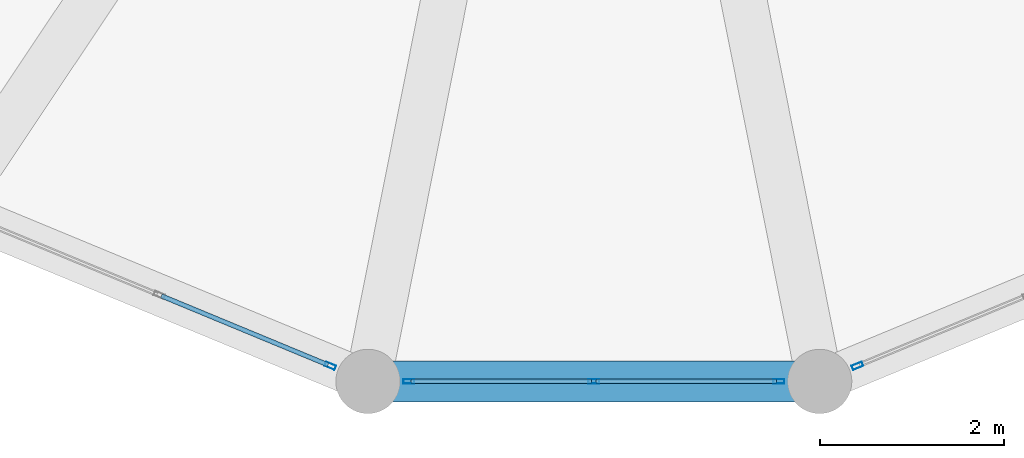
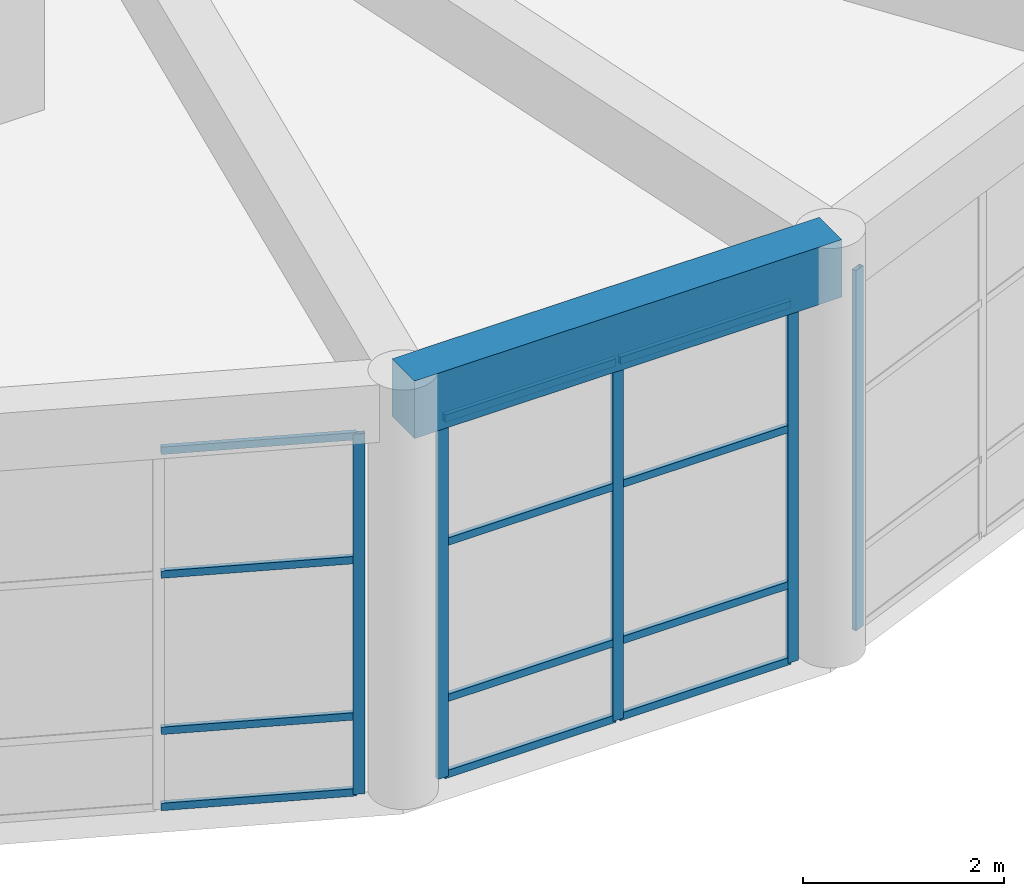
# One storey, part 5 of 96: 17 members, 1 beam, 3 elements without a shape of their own.
"""IFC4 building model written with IfcOpenShell, lengths in metres."""

from ifc_helpers import new_model, si_unit, direction, frame, origin, origin_2d, place, context, subcontext, project, spatial, rectangle, hollow_rectangle, extrude, material, material_profile, profile_set, type_object, element, aggregate, save


model = new_model("IFC4")

# Units and contexts
model_context = context("Model", 3, precision=1e-05, world=origin(), true_north=direction((0.0, 1.0)))
body_context = subcontext(model_context, "Body", "Model", "MODEL_VIEW")
ifc_project = project(units=[si_unit("LENGTHUNIT", "METRE"), si_unit("AREAUNIT", "SQUARE_METRE"), si_unit("VOLUMEUNIT", "CUBIC_METRE"), si_unit("PLANEANGLEUNIT", "RADIAN"), si_unit("MASSUNIT", "GRAM", prefix="KILO")], contexts=[model_context])

# Site, building, storey
site_placement = place(None, origin())
site = spatial("IfcSite", under=ifc_project, at=site_placement, CompositionType="ELEMENT")
building_placement = place(site_placement, origin())
building = spatial("IfcBuilding", under=site, at=building_placement, Name="Almacenes y Pasaje Nevantli", CompositionType="ELEMENT")
storey_placement = place(building_placement, frame((0.0, 0.0, 6.0)))
storey = spatial("IfcBuildingStorey", under=building, at=storey_placement, Name="L02", CompositionType="ELEMENT", Elevation=6.0)

# Beam
ifc_material_1 = material(Name="Concrete C35/45", Category="concrete")
ifc_material_profile_1 = material_profile(ifc_material_1, rectangle(XDim=0.449951171875, YDim=0.699951171875, at=origin_2d()), Name="RC-BM-450x700")
ifc_profile_set_1 = profile_set([ifc_material_profile_1], Name="Concrete C35/45")
beam_type = type_object("IfcBeamType", Name="BM-RC-450x700", PredefinedType="SPANDREL", material=ifc_profile_set_1)
beam_placement = place(storey_placement, frame((5.94189453125, -3.9580078125, 4.75), z_axis=(1.0, 0.0, 0.0), x_axis=(0.0, 1.0, 0.0)))
element("IfcBeam", 1, at=beam_placement, inside=storey, type_object=beam_type, Name="L02 Rotunda Ring Spandrel Beam #12", PredefinedType="SPANDREL", context=body_context, shape_type="SweptSolid", body=[
    extrude(rectangle(XDim=0.449951171875, YDim=0.699951171875, at=origin_2d()), origin(), (0.0, 0.0, 1.0), 4.916259765625),
])

# Curtain wall, member
ifc_material_2 = material(Name="Thermally Broken Aluminium and Low-E Glass", Category="aluminium")
curtain_wall_type = type_object("IfcCurtainWallType", Name="CW-UNIT-ROTUNDA", PredefinedType="USERDEFINED", material=ifc_material_2)
curtain_wall_1_placement = place(storey_placement, origin())
curtain_wall_1 = element("IfcCurtainWall", 2, at=curtain_wall_1_placement, inside=storey, type_object=curtain_wall_type, Name="L02 Corner Rotunda Faceted Curtain Wall Facet #11", ObjectType="UNITIZED CURTAIN WALL", PredefinedType="USERDEFINED")
ifc_material_3 = material(Name="Thermally Broken Anodized Aluminium", Category="aluminium")
ifc_material_profile_2 = material_profile(ifc_material_3, hollow_rectangle(XDim=0.050048828125, YDim=0.1201171875, WallThickness=0.003173828125, at=origin_2d()), Name="ALU-MUL-50x120")
ifc_profile_set_2 = profile_set([ifc_material_profile_2], Name="Thermally Broken Anodized Aluminium")
member_type_1 = type_object("IfcMemberType", Name="CW-MUL-140", PredefinedType="MULLION", material=ifc_profile_set_2)
member_1_placement = place(storey_placement, frame((5.53076171875, -3.78759765625, 0.0), z_axis=(0.0, 0.0, 1.0), x_axis=(0.382698450865, 0.923873311502, 0.0)))
member_1 = element("IfcMember", 3, at=member_1_placement, type_object=member_type_1, Name="CW-L02-030 mullion 3", PredefinedType="MULLION", context=body_context, shape_type="SweptSolid", body=[
    extrude(hollow_rectangle(XDim=0.050048828125, YDim=0.1201171875, WallThickness=0.003173828125, at=origin_2d()), origin(), (0.0, 0.0, 1.0), 4.3798828125),
])

# Curtain wall, members
curtain_wall_2_placement = place(storey_placement, origin())
curtain_wall_2 = element("IfcCurtainWall", 4, at=curtain_wall_2_placement, inside=storey, type_object=curtain_wall_type, Name="L02 Corner Rotunda Faceted Curtain Wall Facet #12", ObjectType="UNITIZED CURTAIN WALL", PredefinedType="USERDEFINED")
member_2_placement = place(storey_placement, frame((6.386962890625, -3.9580078125, 0.0), z_axis=(0.0, 0.0, 1.0), x_axis=(0.0, 1.0, 0.0)))
member_2 = element("IfcMember", 5, at=member_2_placement, type_object=member_type_1, Name="CW-L02-031 mullion 1", PredefinedType="MULLION", context=body_context, shape_type="SweptSolid", body=[
    extrude(hollow_rectangle(XDim=0.050048828125, YDim=0.1201171875, WallThickness=0.003173828125, at=origin_2d()), origin(), (0.0, 0.0, 1.0), 4.3798828125),
])
member_3_placement = place(storey_placement, frame((8.39990234375, -3.9580078125, 0.0), z_axis=(0.0, 0.0, 1.0), x_axis=(0.0, 1.0, 0.0)))
member_3 = element("IfcMember", 6, at=member_3_placement, type_object=member_type_1, Name="CW-L02-031 mullion 2", PredefinedType="MULLION", context=body_context, shape_type="SweptSolid", body=[
    extrude(hollow_rectangle(XDim=0.050048828125, YDim=0.1201171875, WallThickness=0.003173828125, at=origin_2d()), origin(), (0.0, 0.0, 1.0), 4.3798828125),
])
member_4_placement = place(storey_placement, frame((10.4130859375, -3.9580078125, 0.0), z_axis=(0.0, 0.0, 1.0), x_axis=(0.0, 1.0, 0.0)))
member_4 = element("IfcMember", 7, at=member_4_placement, type_object=member_type_1, Name="CW-L02-031 mullion 3", PredefinedType="MULLION", context=body_context, shape_type="SweptSolid", body=[
    extrude(hollow_rectangle(XDim=0.050048828125, YDim=0.1201171875, WallThickness=0.003173828125, at=origin_2d()), origin(), (0.0, 0.0, 1.0), 4.3798828125),
])

# Curtain wall, member
curtain_wall_3_placement = place(storey_placement, origin())
curtain_wall_3 = element("IfcCurtainWall", 8, at=curtain_wall_3_placement, inside=storey, type_object=curtain_wall_type, Name="L02 Corner Rotunda Faceted Curtain Wall Facet #13", ObjectType="UNITIZED CURTAIN WALL", PredefinedType="USERDEFINED")
member_5_placement = place(storey_placement, frame((11.269287109375, -3.78759765625, 0.0), z_axis=(0.0, 0.0, 1.0), x_axis=(-0.382698450865, 0.923873311502, 0.0)))
member_5 = element("IfcMember", 9, at=member_5_placement, type_object=member_type_1, Name="CW-L02-032 mullion 1", PredefinedType="MULLION", context=body_context, shape_type="SweptSolid", body=[
    extrude(hollow_rectangle(XDim=0.050048828125, YDim=0.1201171875, WallThickness=0.003173828125, at=origin_2d()), origin(), (0.0, 0.0, 1.0), 4.3798828125),
])
aggregate(curtain_wall_3, [member_5])

# Member
ifc_material_4 = material(Name="Thermally Broken Anodized Aluminium", Category="aluminium")
ifc_material_profile_3 = material_profile(ifc_material_4, hollow_rectangle(XDim=0.050048828125, YDim=0.090087890625, WallThickness=0.0029296875, at=origin_2d()), Name="ALU-TRN-50x90")
ifc_profile_set_3 = profile_set([ifc_material_profile_3], Name="Thermally Broken Anodized Aluminium")
member_type_2 = type_object("IfcMemberType", Name="CW-TRN-100", PredefinedType="USERDEFINED", material=ifc_profile_set_3)
member_6_placement = place(storey_placement, frame((3.69384765625, -3.02685546875, 0.02490234375), z_axis=(0.923887998679, -0.382662992588, 0.0), x_axis=(0.382662992588, 0.923887998679, 0.0)))
member_6 = element("IfcMember", 10, at=member_6_placement, type_object=member_type_2, Name="CW-L02-030 transom 2.1", ObjectType="TRANSOM", PredefinedType="USERDEFINED", context=body_context, shape_type="SweptSolid", body=[
    extrude(hollow_rectangle(XDim=0.050048828125, YDim=0.090087890625, WallThickness=0.0029296875, at=origin_2d()), origin(), (0.0, 0.0, 1.0), 1.963134765625),
])

member_7_placement = place(storey_placement, frame((3.69384765625, -3.02685546875, 0.949951171875), z_axis=(0.923887998679, -0.382662992588, 0.0), x_axis=(0.382662992588, 0.923887998679, 0.0)))
member_7 = element("IfcMember", 11, at=member_7_placement, type_object=member_type_2, Name="CW-L02-030 transom 2.2", ObjectType="TRANSOM", PredefinedType="USERDEFINED", context=body_context, shape_type="SweptSolid", body=[
    extrude(hollow_rectangle(XDim=0.050048828125, YDim=0.090087890625, WallThickness=0.0029296875, at=origin_2d()), origin(), (0.0, 0.0, 1.0), 1.963134765625),
])

member_8_placement = place(storey_placement, frame((3.69384765625, -3.02685546875, 2.85009765625), z_axis=(0.923887998679, -0.382662992588, 0.0), x_axis=(0.382662992588, 0.923887998679, 0.0)))
member_8 = element("IfcMember", 12, at=member_8_placement, type_object=member_type_2, Name="CW-L02-030 transom 2.3", ObjectType="TRANSOM", PredefinedType="USERDEFINED", context=body_context, shape_type="SweptSolid", body=[
    extrude(hollow_rectangle(XDim=0.050048828125, YDim=0.090087890625, WallThickness=0.0029296875, at=origin_2d()), origin(), (0.0, 0.0, 1.0), 1.963134765625),
])

member_9_placement = place(storey_placement, frame((3.69384765625, -3.02685546875, 4.35498046875), z_axis=(0.923887998679, -0.382662992588, 0.0), x_axis=(0.382662992588, 0.923887998679, 0.0)))
member_9 = element("IfcMember", 13, at=member_9_placement, type_object=member_type_2, Name="CW-L02-030 transom 2.4", ObjectType="TRANSOM", PredefinedType="USERDEFINED", context=body_context, shape_type="SweptSolid", body=[
    extrude(hollow_rectangle(XDim=0.050048828125, YDim=0.090087890625, WallThickness=0.0029296875, at=origin_2d()), origin(), (0.0, 0.0, 1.0), 1.963134765625),
])

aggregate(curtain_wall_1, [member_1, member_6, member_7, member_8, member_9])

member_10_placement = place(storey_placement, frame((6.411865234375, -3.9580078125, 0.02490234375), z_axis=(1.0, 0.0, 0.0), x_axis=(0.0, 1.0, 0.0)))
member_10 = element("IfcMember", 14, at=member_10_placement, type_object=member_type_2, Name="CW-L02-031 transom 1.1", ObjectType="TRANSOM", PredefinedType="USERDEFINED", context=body_context, shape_type="SweptSolid", body=[
    extrude(hollow_rectangle(XDim=0.050048828125, YDim=0.090087890625, WallThickness=0.0029296875, at=origin_2d()), origin(), (0.0, 0.0, 1.0), 1.963134765625),
])

member_11_placement = place(storey_placement, frame((6.411865234375, -3.9580078125, 0.949951171875), z_axis=(1.0, 0.0, 0.0), x_axis=(0.0, 1.0, 0.0)))
member_11 = element("IfcMember", 15, at=member_11_placement, type_object=member_type_2, Name="CW-L02-031 transom 1.2", ObjectType="TRANSOM", PredefinedType="USERDEFINED", context=body_context, shape_type="SweptSolid", body=[
    extrude(hollow_rectangle(XDim=0.050048828125, YDim=0.090087890625, WallThickness=0.0029296875, at=origin_2d()), origin(), (0.0, 0.0, 1.0), 1.963134765625),
])

member_12_placement = place(storey_placement, frame((6.411865234375, -3.9580078125, 2.85009765625), z_axis=(1.0, 0.0, 0.0), x_axis=(0.0, 1.0, 0.0)))
member_12 = element("IfcMember", 16, at=member_12_placement, type_object=member_type_2, Name="CW-L02-031 transom 1.3", ObjectType="TRANSOM", PredefinedType="USERDEFINED", context=body_context, shape_type="SweptSolid", body=[
    extrude(hollow_rectangle(XDim=0.050048828125, YDim=0.090087890625, WallThickness=0.0029296875, at=origin_2d()), origin(), (0.0, 0.0, 1.0), 1.963134765625),
])

member_13_placement = place(storey_placement, frame((6.411865234375, -3.9580078125, 4.35498046875), z_axis=(1.0, 0.0, 0.0), x_axis=(0.0, 1.0, 0.0)))
member_13 = element("IfcMember", 17, at=member_13_placement, type_object=member_type_2, Name="CW-L02-031 transom 1.4", ObjectType="TRANSOM", PredefinedType="USERDEFINED", context=body_context, shape_type="SweptSolid", body=[
    extrude(hollow_rectangle(XDim=0.050048828125, YDim=0.090087890625, WallThickness=0.0029296875, at=origin_2d()), origin(), (0.0, 0.0, 1.0), 1.963134765625),
])

member_14_placement = place(storey_placement, frame((8.425048828125, -3.9580078125, 0.02490234375), z_axis=(1.0, 0.0, 0.0), x_axis=(0.0, 1.0, 0.0)))
member_14 = element("IfcMember", 18, at=member_14_placement, type_object=member_type_2, Name="CW-L02-031 transom 2.1", ObjectType="TRANSOM", PredefinedType="USERDEFINED", context=body_context, shape_type="SweptSolid", body=[
    extrude(hollow_rectangle(XDim=0.050048828125, YDim=0.090087890625, WallThickness=0.0029296875, at=origin_2d()), origin(), (0.0, 0.0, 1.0), 1.963134765625),
])

member_15_placement = place(storey_placement, frame((8.425048828125, -3.9580078125, 0.949951171875), z_axis=(1.0, 0.0, 0.0), x_axis=(0.0, 1.0, 0.0)))
member_15 = element("IfcMember", 19, at=member_15_placement, type_object=member_type_2, Name="CW-L02-031 transom 2.2", ObjectType="TRANSOM", PredefinedType="USERDEFINED", context=body_context, shape_type="SweptSolid", body=[
    extrude(hollow_rectangle(XDim=0.050048828125, YDim=0.090087890625, WallThickness=0.0029296875, at=origin_2d()), origin(), (0.0, 0.0, 1.0), 1.963134765625),
])

member_16_placement = place(storey_placement, frame((8.425048828125, -3.9580078125, 2.85009765625), z_axis=(1.0, 0.0, 0.0), x_axis=(0.0, 1.0, 0.0)))
member_16 = element("IfcMember", 20, at=member_16_placement, type_object=member_type_2, Name="CW-L02-031 transom 2.3", ObjectType="TRANSOM", PredefinedType="USERDEFINED", context=body_context, shape_type="SweptSolid", body=[
    extrude(hollow_rectangle(XDim=0.050048828125, YDim=0.090087890625, WallThickness=0.0029296875, at=origin_2d()), origin(), (0.0, 0.0, 1.0), 1.963134765625),
])

member_17_placement = place(storey_placement, frame((8.425048828125, -3.9580078125, 4.35498046875), z_axis=(1.0, 0.0, 0.0), x_axis=(0.0, 1.0, 0.0)))
member_17 = element("IfcMember", 21, at=member_17_placement, type_object=member_type_2, Name="CW-L02-031 transom 2.4", ObjectType="TRANSOM", PredefinedType="USERDEFINED", context=body_context, shape_type="SweptSolid", body=[
    extrude(hollow_rectangle(XDim=0.050048828125, YDim=0.090087890625, WallThickness=0.0029296875, at=origin_2d()), origin(), (0.0, 0.0, 1.0), 1.963134765625),
])

aggregate(curtain_wall_2, [member_2, member_3, member_4, member_10, member_11, member_12, member_13, member_14, member_15, member_16, member_17])

save(model, "model.ifc")
